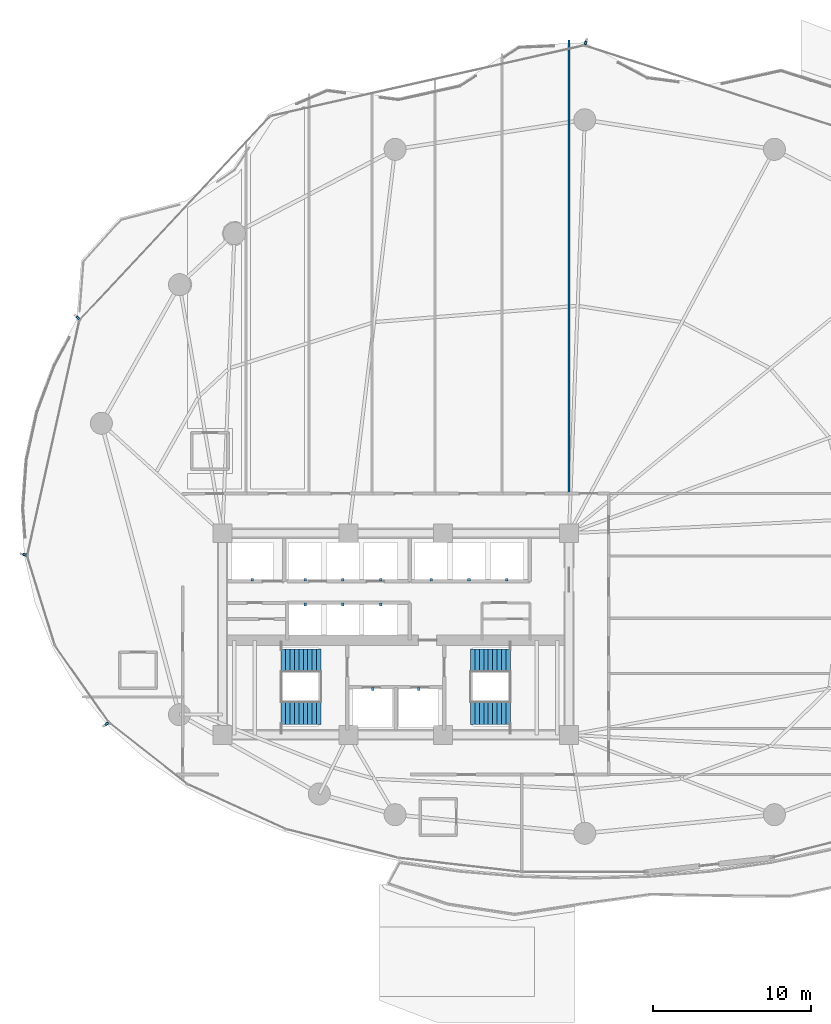
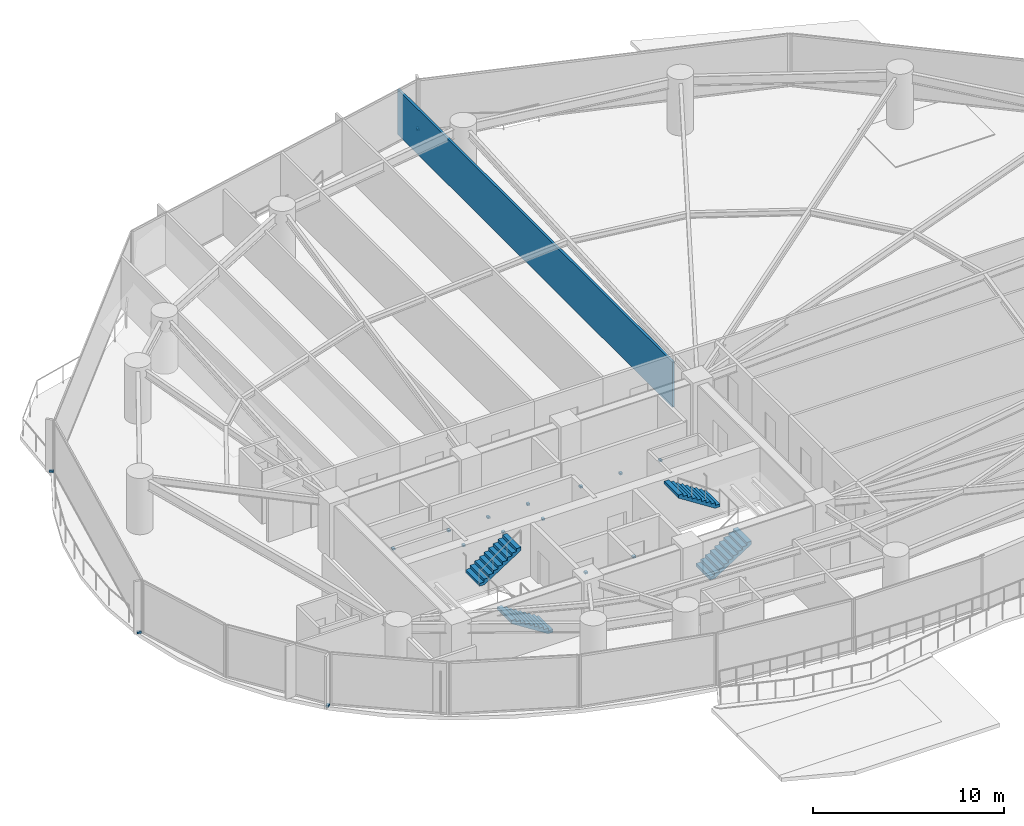
# One storey, part 27 of 32: 16 discrete accessories, 4 stair flights, 1 wall, 2 elements without a shape of their own.
"""IFC4 building model written with IfcOpenShell, lengths in metres."""

from ifc_helpers import new_model, si_unit, direction, frame, frame_2d, origin, origin_2d, place, context, subcontext, project, spatial, polyline, rectangle, outline, extrude, material, layer, layer_set, type_object, element, aggregate, save


model = new_model("IFC4")

# Units and contexts
model_context = context("Model", 3, precision=1e-05, world=origin(), true_north=direction((0.0, 1.0)))
body_context = subcontext(model_context, "Body", "Model", "MODEL_VIEW")
ifc_project = project(units=[si_unit("LENGTHUNIT", "METRE"), si_unit("AREAUNIT", "SQUARE_METRE"), si_unit("VOLUMEUNIT", "CUBIC_METRE"), si_unit("PLANEANGLEUNIT", "RADIAN"), si_unit("MASSUNIT", "GRAM", prefix="KILO")], contexts=[model_context])

# Site, building, storey
site_placement = place(None, origin())
site = spatial("IfcSite", under=ifc_project, at=site_placement, CompositionType="ELEMENT")
building_placement = place(site_placement, origin())
building = spatial("IfcBuilding", under=site, at=building_placement, Name="Kazevale Care Tower and Concert Hall", CompositionType="ELEMENT")
storey_placement = place(building_placement, frame((0.0, 0.0, 24.0)))
storey = spatial("IfcBuildingStorey", under=building, at=storey_placement, Name="L05", CompositionType="ELEMENT", Elevation=24.0)

# Wall
ifc_material_1 = material(Name="Acoustic Gypsum on Steel Stud", Category="steel")
ifc_layer_1 = layer(ifc_material_1, 0.139892578125)
ifc_layer_set_1 = layer_set([ifc_layer_1], Name="Acoustic Gypsum on Steel Stud")
wall_type = type_object("IfcWallType", Name="Acoustic Care & Suite Partition 140", PredefinedType="PARTITIONING", material=ifc_layer_set_1)
wall_placement = place(storey_placement, frame((44.0, 67.7060546875, 0.0), z_axis=(0.0, 0.0, 1.0), x_axis=(0.0, -1.0, 0.0)))
element("IfcWall", 1, at=wall_placement, inside=storey, type_object=wall_type, Name="wall:L05:auto_023", PredefinedType="PARTITIONING", context=body_context, shape_type="SweptSolid", body=[
    extrude(rectangle(XDim=28.81103515625, YDim=0.139892578125, at=frame_2d((14.405517578125, 0.0))), origin(), (0.0, 0.0, 1.0), 2.889892578125),
])

# Stair, stair flights
ifc_material_2 = material(Name="Concrete C40", Category="concrete")
stair_type = type_object("IfcStairType", Name="Exit Stair Assembly ST1-Z1", PredefinedType="HALF_TURN_STAIR", material=ifc_material_2)
stair_1_placement = place(storey_placement, origin())
stair_1 = element("IfcStair", 2, at=stair_1_placement, inside=storey, type_object=stair_type, Name="stair:L05:ST1", PredefinedType="HALF_TURN_STAIR")
ifc_layer_2 = layer(ifc_material_2, 0.159912109375)
ifc_layer_set_2 = layer_set([ifc_layer_2], Name="Concrete C40")
stair_flight_type = type_object("IfcStairFlightType", Name="Exit Stair Flight ST1-Z1", PredefinedType="STRAIGHT", material=ifc_layer_set_2)
stair_flight_1_placement = place(storey_placement, frame((28.25, 24.989990234375, 0.0), z_axis=(0.0, 0.0, 1.0), x_axis=(-1.0, 0.0, 0.0)))
stair_flight_1 = element("IfcStairFlight", 3, at=stair_flight_1_placement, type_object=stair_flight_type, Name="ST1-Z1 flight 1", NumberOfRisers=10, NumberOfTreads=9, PredefinedType="STRAIGHT", RiserHeight=0.18, TreadLength=0.28, context=body_context, shape_type="SweptSolid", body=[
    extrude(outline(polyline([(0.0, 0.0), (0.0, 0.179931640625), (0.280029296875, 0.179931640625), (0.280029296875, 0.360107421875), (0.56005859375, 0.360107421875), (0.56005859375, 0.5400390625), (0.840087890625, 0.5400390625), (0.840087890625, 0.719970703125), (1.1201171875, 0.719970703125), (1.1201171875, 0.89990234375), (1.39990234375, 0.89990234375), (1.39990234375, 1.080078125), (1.679931640625, 1.080078125), (1.679931640625, 1.260009765625), (1.9599609375, 1.260009765625), (1.9599609375, 1.43994140625), (2.239990234375, 1.43994140625), (2.239990234375, 1.6201171875), (2.52001953125, 1.6201171875), (2.52001953125, 1.800048828125), (2.52001953125, 1.429931640625), (0.295654296875, 0.0), (0.0, 0.0)])), frame((0.0, 0.739990234375, 0.0), z_axis=(0.0, -1.0, 0.0), x_axis=(1.0, 0.0, 0.0)), (0.0, 0.0, 1.0), 1.47998046875),
])
stair_flight_2_placement = place(storey_placement, frame((25.72998046875, 28.31005859375, 1.800048828125), z_axis=(0.0, 0.0, 1.0), x_axis=(1.0, 0.0, 0.0)))
stair_flight_2 = element("IfcStairFlight", 4, at=stair_flight_2_placement, type_object=stair_flight_type, Name="ST1-Z1 flight 2", NumberOfRisers=10, NumberOfTreads=9, PredefinedType="STRAIGHT", RiserHeight=0.18, TreadLength=0.28, context=body_context, shape_type="SweptSolid", body=[
    extrude(outline(polyline([(0.0, 0.0), (0.0, 0.179931640625), (0.280029296875, 0.179931640625), (0.280029296875, 0.360107421875), (0.56005859375, 0.360107421875), (0.56005859375, 0.5400390625), (0.840087890625, 0.5400390625), (0.840087890625, 0.719970703125), (1.1201171875, 0.719970703125), (1.1201171875, 0.89990234375), (1.39990234375, 0.89990234375), (1.39990234375, 1.080078125), (1.679931640625, 1.080078125), (1.679931640625, 1.260009765625), (1.9599609375, 1.260009765625), (1.9599609375, 1.43994140625), (2.239990234375, 1.43994140625), (2.239990234375, 1.6201171875), (2.52001953125, 1.6201171875), (2.52001953125, 1.800048828125), (2.52001953125, 1.429931640625), (0.295654296875, 0.0), (0.0, 0.0)])), frame((0.0, 0.739990234375, 0.0), z_axis=(0.0, -1.0, 0.0), x_axis=(1.0, 0.0, 0.0)), (0.0, 0.0, 1.0), 1.47998046875),
])
aggregate(stair_1, [stair_flight_1, stair_flight_2])

stair_2_placement = place(storey_placement, origin())
stair_2 = element("IfcStair", 5, at=stair_2_placement, inside=storey, type_object=stair_type, Name="stair:L05:ST2", PredefinedType="HALF_TURN_STAIR")
stair_flight_3_placement = place(storey_placement, frame((37.75, 24.989990234375, 0.0), z_axis=(0.0, 0.0, 1.0), x_axis=(1.0, 0.0, 0.0)))
stair_flight_3 = element("IfcStairFlight", 6, at=stair_flight_3_placement, type_object=stair_flight_type, Name="ST1-Z1 flight 1", NumberOfRisers=10, NumberOfTreads=9, PredefinedType="STRAIGHT", RiserHeight=0.18, TreadLength=0.28, context=body_context, shape_type="SweptSolid", body=[
    extrude(outline(polyline([(0.0, 0.0), (0.0, 0.179931640625), (0.280029296875, 0.179931640625), (0.280029296875, 0.360107421875), (0.56005859375, 0.360107421875), (0.56005859375, 0.5400390625), (0.840087890625, 0.5400390625), (0.840087890625, 0.719970703125), (1.1201171875, 0.719970703125), (1.1201171875, 0.89990234375), (1.39990234375, 0.89990234375), (1.39990234375, 1.080078125), (1.679931640625, 1.080078125), (1.679931640625, 1.260009765625), (1.9599609375, 1.260009765625), (1.9599609375, 1.43994140625), (2.239990234375, 1.43994140625), (2.239990234375, 1.6201171875), (2.52001953125, 1.6201171875), (2.52001953125, 1.800048828125), (2.52001953125, 1.429931640625), (0.295654296875, 0.0), (0.0, 0.0)])), frame((0.0, 0.739990234375, 0.0), z_axis=(0.0, -1.0, 0.0), x_axis=(1.0, 0.0, 0.0)), (0.0, 0.0, 1.0), 1.47998046875),
])
stair_flight_4_placement = place(storey_placement, frame((40.27001953125, 28.31005859375, 1.800048828125), z_axis=(0.0, 0.0, 1.0), x_axis=(-1.0, 0.0, 0.0)))
stair_flight_4 = element("IfcStairFlight", 7, at=stair_flight_4_placement, type_object=stair_flight_type, Name="ST1-Z1 flight 2", NumberOfRisers=10, NumberOfTreads=9, PredefinedType="STRAIGHT", RiserHeight=0.18, TreadLength=0.28, context=body_context, shape_type="SweptSolid", body=[
    extrude(outline(polyline([(0.0, 0.0), (0.0, 0.179931640625), (0.280029296875, 0.179931640625), (0.280029296875, 0.360107421875), (0.56005859375, 0.360107421875), (0.56005859375, 0.5400390625), (0.840087890625, 0.5400390625), (0.840087890625, 0.719970703125), (1.1201171875, 0.719970703125), (1.1201171875, 0.89990234375), (1.39990234375, 0.89990234375), (1.39990234375, 1.080078125), (1.679931640625, 1.080078125), (1.679931640625, 1.260009765625), (1.9599609375, 1.260009765625), (1.9599609375, 1.43994140625), (2.239990234375, 1.43994140625), (2.239990234375, 1.6201171875), (2.52001953125, 1.6201171875), (2.52001953125, 1.800048828125), (2.52001953125, 1.429931640625), (0.295654296875, 0.0), (0.0, 0.0)])), frame((0.0, 0.739990234375, 0.0), z_axis=(0.0, -1.0, 0.0), x_axis=(1.0, 0.0, 0.0)), (0.0, 0.0, 1.0), 1.47998046875),
])
aggregate(stair_2, [stair_flight_3, stair_flight_4])

# Discrete accessories
ifc_material_3 = material(Name="Stainless Steel 316", Category="steel")
discrete_accessory_type_1 = type_object("IfcDiscreteAccessoryType", Name="Facade Fin Stainless Anchor Bracket BRK-1", PredefinedType="BRACKET", material=ifc_material_3)
for number, where, z_axis, x_axis, name in (
    (8, (14.656005859375, 24.298828125, 0.0), (0.0, 0.0, 1.0), (-0.817547124842, -0.575861700985, 0.0), "cw:L05:f11:brk"),
    (9, (9.44677734375, 35.03369140625, 0.0), (0.0, 0.0, 1.0), (-0.97629600712, 0.216439613938, 0.0), "cw:L05:f13:brk"),
    (10, (12.8251953125, 50.068359375, 0.0), (0.0, 0.0, 1.0), (-0.730400739673, 0.683018857343, 0.0), "cw:L05:f14:brk"),
    (11, (45.04931640625, 67.517333984375, 0.0), (0.0, 0.0, 1.0), (0.30785482931, 0.951433341896, 0.0), "cw:L05:f16:brk"),
):
    element("IfcDiscreteAccessory", number, at=place(storey_placement, frame(where, z_axis=z_axis, x_axis=x_axis)), inside=storey, type_object=discrete_accessory_type_1, Name=name, PredefinedType="BRACKET", context=body_context, shape_type="SweptSolid", body=[
        extrude(rectangle(XDim=0.239990234375, YDim=0.139892578125, at=origin_2d()), origin(), (0.0, 0.0, 1.0), 0.1201171875),
    ])
discrete_accessory_type_2 = type_object("IfcDiscreteAccessoryType", Name="Hoistway Guide-Rail Wall Bracket HBRK-1", PredefinedType="BRACKET", material=ifc_material_3)
for number, where, z_axis, x_axis, name in (
    (12, (31.550048828125, 26.52001953125, 1.239990234375), (0.0, 0.0, 1.0), (1.0, 0.0, 0.0), "hbrk:FFL-1:L05"),
    (13, (34.449951171875, 26.52001953125, 1.239990234375), (0.0, 0.0, 1.0), (1.0, 0.0, 0.0), "hbrk:FFL-2:L05"),
    (14, (23.89990234375, 33.449951171875, 1.239990234375), (0.0, 0.0, 1.0), (1.0, 0.0, 0.0), "hbrk:SVL-1:L05"),
    (15, (27.25, 33.449951171875, 1.239990234375), (0.0, 0.0, 1.0), (1.0, 0.0, 0.0), "hbrk:PL-1:L05"),
    (16, (29.64990234375, 33.449951171875, 1.239990234375), (0.0, 0.0, 1.0), (1.0, 0.0, 0.0), "hbrk:PL-2:L05"),
    (17, (32.050048828125, 33.449951171875, 1.239990234375), (0.0, 0.0, 1.0), (1.0, 0.0, 0.0), "hbrk:PL-3:L05"),
    (18, (35.25, 33.449951171875, 1.239990234375), (0.0, 0.0, 1.0), (1.0, 0.0, 0.0), "hbrk:PM-1:L05"),
    (19, (37.64990234375, 33.449951171875, 1.239990234375), (0.0, 0.0, 1.0), (1.0, 0.0, 0.0), "hbrk:PM-2:L05"),
    (20, (40.050048828125, 33.449951171875, 1.239990234375), (0.0, 0.0, 1.0), (1.0, 0.0, 0.0), "hbrk:PM-3:L05"),
    (21, (27.25, 31.8798828125, 1.239990234375), (0.0, 0.0, 1.0), (1.0, 0.0, 0.0), "hbrk:PH-1:L05"),
    (22, (29.64990234375, 31.8798828125, 1.239990234375), (0.0, 0.0, 1.0), (1.0, 0.0, 0.0), "hbrk:PH-2:L05"),
    (23, (32.050048828125, 31.8798828125, 1.239990234375), (0.0, 0.0, 1.0), (1.0, 0.0, 0.0), "hbrk:PH-3:L05"),
):
    element("IfcDiscreteAccessory", number, at=place(storey_placement, frame(where, z_axis=z_axis, x_axis=x_axis)), inside=storey, type_object=discrete_accessory_type_2, Name=name, PredefinedType="BRACKET", context=body_context, shape_type="SweptSolid", body=[
        extrude(rectangle(XDim=0.159912109375, YDim=0.179931640625, at=origin_2d()), origin(), (0.0, 0.0, 1.0), 0.1201171875),
    ])

save(model, "model.ifc")
